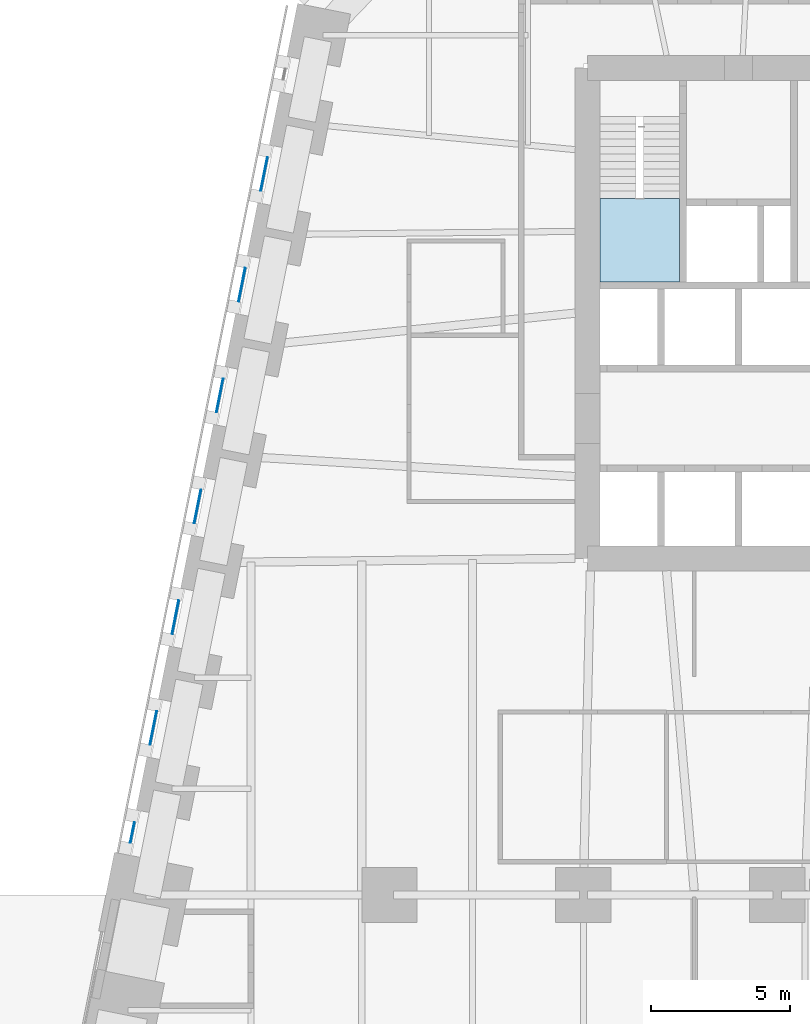
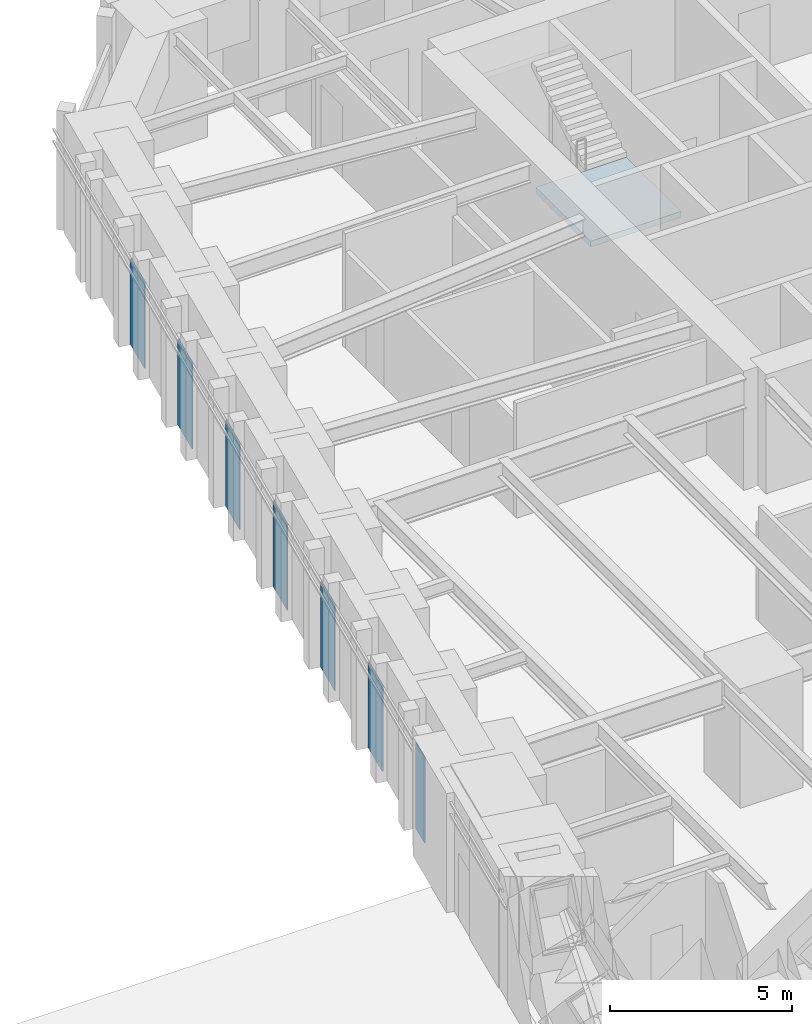
# One storey, part 7 of 18: 7 plates, 1 slab, 8 elements without a shape of their own.
"""IFC4 building model written with IfcOpenShell, lengths in metres."""

from ifc_helpers import new_model, si_unit, direction, frame, origin, origin_2d, place, context, subcontext, project, spatial, polyline, rectangle, outline, extrude, material, layer, layer_set, type_object, element, aggregate, save


model = new_model("IFC4")

# Units and contexts
model_context = context("Model", 3, precision=1e-05, world=origin(), true_north=direction((0.0, 1.0)))
body_context = subcontext(model_context, "Body", "Model", "MODEL_VIEW")
ifc_project = project(units=[si_unit("LENGTHUNIT", "METRE"), si_unit("AREAUNIT", "SQUARE_METRE"), si_unit("VOLUMEUNIT", "CUBIC_METRE"), si_unit("PLANEANGLEUNIT", "RADIAN"), si_unit("MASSUNIT", "GRAM", prefix="KILO")], contexts=[model_context])

# Site, building, storey
site_placement = place(None, origin())
site = spatial("IfcSite", under=ifc_project, at=site_placement, CompositionType="ELEMENT")
building_placement = place(site_placement, origin())
building = spatial("IfcBuilding", under=site, at=building_placement, Name="Isbrekke Arena Tower", CompositionType="ELEMENT")
storey_placement = place(building_placement, frame((0.0, 0.0, 28.0)))
storey = spatial("IfcBuildingStorey", under=building, at=storey_placement, Name="L04", CompositionType="ELEMENT", Elevation=28.0)

# Curtain wall, plate
ifc_material_1 = material(Name="Glazed aluminium curtain wall", Category="aluminium")
curtain_wall_type = type_object("IfcCurtainWallType", Name="CWL TOWER CURTAIN WALL LOW ZONE", PredefinedType="USERDEFINED", material=ifc_material_1)
curtain_wall_1_placement = place(storey_placement, origin())
curtain_wall_1 = element("IfcCurtainWall", 1, at=curtain_wall_1_placement, inside=storey, type_object=curtain_wall_type, Name="CWL curtain wall L04-W3", ObjectType="TOWER CURTAIN WALL LOW ZONE", PredefinedType="USERDEFINED")
ifc_material_2 = material(Name="Triple-glazed clear glass unit", Category="glass")
ifc_layer_1 = layer(ifc_material_2, 0.031982421875)
ifc_layer_set_1 = layer_set([ifc_layer_1], Name="CWL-P VISION PANEL")
plate_type = type_object("IfcPlateType", Name="CWL-P VISION PANEL", PredefinedType="CURTAIN_PANEL", material=ifc_layer_set_1)
plate_1_placement = place(storey_placement, frame((-25.5224609375, 20.0244140625, 0.02001953125), z_axis=(0.0, 0.0, 1.0), x_axis=(-0.196116135138, -0.980580675691, 0.0)))
plate_1 = element("IfcPlate", 2, at=plate_1_placement, type_object=plate_type, Name="CWL-P panel 1", PredefinedType="CURTAIN_PANEL", context=body_context, shape_type="SweptSolid", body=[
    extrude(rectangle(XDim=1.229248046875, YDim=0.031982421875, at=origin_2d()), origin(), (0.0, 0.0, 1.0), 2.8798828125),
])
aggregate(curtain_wall_1, [plate_1])

curtain_wall_2_placement = place(storey_placement, origin())
curtain_wall_2 = element("IfcCurtainWall", 3, at=curtain_wall_2_placement, inside=storey, type_object=curtain_wall_type, Name="CWL curtain wall L04-W5", ObjectType="TOWER CURTAIN WALL LOW ZONE", PredefinedType="USERDEFINED")
plate_2_placement = place(storey_placement, frame((-26.322509765625, 16.0244140625, 0.02001953125), z_axis=(0.0, 0.0, 1.0), x_axis=(-0.196116135138, -0.980580675691, 0.0)))
plate_2 = element("IfcPlate", 4, at=plate_2_placement, type_object=plate_type, Name="CWL-P panel 1", PredefinedType="CURTAIN_PANEL", context=body_context, shape_type="SweptSolid", body=[
    extrude(rectangle(XDim=1.229248046875, YDim=0.031982421875, at=origin_2d()), origin(), (0.0, 0.0, 1.0), 2.8798828125),
])
aggregate(curtain_wall_2, [plate_2])

curtain_wall_3_placement = place(storey_placement, origin())
curtain_wall_3 = element("IfcCurtainWall", 5, at=curtain_wall_3_placement, inside=storey, type_object=curtain_wall_type, Name="CWL curtain wall L04-W7", ObjectType="TOWER CURTAIN WALL LOW ZONE", PredefinedType="USERDEFINED")
plate_3_placement = place(storey_placement, frame((-27.12255859375, 12.0244140625, 0.02001953125), z_axis=(0.0, 0.0, 1.0), x_axis=(-0.196116135138, -0.980580675691, 0.0)))
plate_3 = element("IfcPlate", 6, at=plate_3_placement, type_object=plate_type, Name="CWL-P panel 1", PredefinedType="CURTAIN_PANEL", context=body_context, shape_type="SweptSolid", body=[
    extrude(rectangle(XDim=1.229248046875, YDim=0.031982421875, at=origin_2d()), origin(), (0.0, 0.0, 1.0), 2.8798828125),
])
aggregate(curtain_wall_3, [plate_3])

curtain_wall_4_placement = place(storey_placement, origin())
curtain_wall_4 = element("IfcCurtainWall", 7, at=curtain_wall_4_placement, inside=storey, type_object=curtain_wall_type, Name="CWL curtain wall L04-W9", ObjectType="TOWER CURTAIN WALL LOW ZONE", PredefinedType="USERDEFINED")
plate_4_placement = place(storey_placement, frame((-27.922607421875, 8.0244140625, 0.02001953125), z_axis=(0.0, 0.0, 1.0), x_axis=(-0.196116135138, -0.980580675691, 0.0)))
plate_4 = element("IfcPlate", 8, at=plate_4_placement, type_object=plate_type, Name="CWL-P panel 1", PredefinedType="CURTAIN_PANEL", context=body_context, shape_type="SweptSolid", body=[
    extrude(rectangle(XDim=1.229248046875, YDim=0.031982421875, at=origin_2d()), origin(), (0.0, 0.0, 1.0), 2.8798828125),
])
aggregate(curtain_wall_4, [plate_4])

curtain_wall_5_placement = place(storey_placement, origin())
curtain_wall_5 = element("IfcCurtainWall", 9, at=curtain_wall_5_placement, inside=storey, type_object=curtain_wall_type, Name="CWL curtain wall L04-W11", ObjectType="TOWER CURTAIN WALL LOW ZONE", PredefinedType="USERDEFINED")
plate_5_placement = place(storey_placement, frame((-28.72265625, 4.0244140625, 0.02001953125), z_axis=(0.0, 0.0, 1.0), x_axis=(-0.196116135138, -0.980580675691, 0.0)))
plate_5 = element("IfcPlate", 10, at=plate_5_placement, type_object=plate_type, Name="CWL-P panel 1", PredefinedType="CURTAIN_PANEL", context=body_context, shape_type="SweptSolid", body=[
    extrude(rectangle(XDim=1.229248046875, YDim=0.031982421875, at=origin_2d()), origin(), (0.0, 0.0, 1.0), 2.8798828125),
])
aggregate(curtain_wall_5, [plate_5])

curtain_wall_6_placement = place(storey_placement, origin())
curtain_wall_6 = element("IfcCurtainWall", 11, at=curtain_wall_6_placement, inside=storey, type_object=curtain_wall_type, Name="CWL curtain wall L04-W13", ObjectType="TOWER CURTAIN WALL LOW ZONE", PredefinedType="USERDEFINED")
plate_6_placement = place(storey_placement, frame((-29.5224609375, 0.0244140625, 0.02001953125), z_axis=(0.0, 0.0, 1.0), x_axis=(-0.196116135138, -0.980580675691, 0.0)))
plate_6 = element("IfcPlate", 12, at=plate_6_placement, type_object=plate_type, Name="CWL-P panel 1", PredefinedType="CURTAIN_PANEL", context=body_context, shape_type="SweptSolid", body=[
    extrude(rectangle(XDim=1.229248046875, YDim=0.031982421875, at=origin_2d()), origin(), (0.0, 0.0, 1.0), 2.8798828125),
])
aggregate(curtain_wall_6, [plate_6])

curtain_wall_7_placement = place(storey_placement, origin())
curtain_wall_7 = element("IfcCurtainWall", 13, at=curtain_wall_7_placement, inside=storey, type_object=curtain_wall_type, Name="CWL curtain wall L04-W15", ObjectType="TOWER CURTAIN WALL LOW ZONE", PredefinedType="USERDEFINED")
plate_7_placement = place(storey_placement, frame((-30.276123046875, -3.74365234375, 0.02001953125), z_axis=(0.0, 0.0, 1.0), x_axis=(-0.196116135138, -0.980580675691, 0.0)))
plate_7 = element("IfcPlate", 14, at=plate_7_placement, type_object=plate_type, Name="CWL-P panel 1", PredefinedType="CURTAIN_PANEL", context=body_context, shape_type="SweptSolid", body=[
    extrude(rectangle(XDim=0.756103515625, YDim=0.031982421875, at=origin_2d()), origin(), (0.0, 0.0, 1.0), 2.8798828125),
])
aggregate(curtain_wall_7, [plate_7])

# Stair, slab
ifc_material_3 = material(Name="Concrete B45 (C45/55) precast", Category="concrete")
stair_type = type_object("IfcStairType", Name="ST40 STAIR 1300 WIDE, 24 RISERS 167", PredefinedType="HALF_TURN_STAIR", material=ifc_material_3)
stair_placement = place(storey_placement, origin())
stair = element("IfcStair", 15, at=stair_placement, inside=storey, type_object=stair_type, Name="ST1 stair L04", PredefinedType="HALF_TURN_STAIR")
ifc_material_4 = material(Name="Concrete B35 (C35/45)", Category="concrete")
ifc_layer_2 = layer(ifc_material_4, 0.199951171875)
ifc_layer_set_2 = layer_set([ifc_layer_2], Name="SL1 STAIR LANDING 200")
slab_type = type_object("IfcSlabType", Name="SL1 STAIR LANDING 200", PredefinedType="LANDING", material=ifc_layer_set_2)
slab_placement = place(storey_placement, frame((0.0, 0.0, 1.800048828125)))
slab = element("IfcSlab", 16, at=slab_placement, type_object=slab_type, Name="ST1 landing 1", PredefinedType="LANDING", context=body_context, shape_type="SweptSolid", body=[
    extrude(outline(polyline([(-13.39990234375, 16.125), (-10.52490234375, 16.125), (-10.52490234375, 19.1298828125), (-13.39990234375, 19.1298828125), (-13.39990234375, 16.125)])), origin(), (0.0, 0.0, 1.0), 0.199951171875),
])
aggregate(stair, [slab])

save(model, "model.ifc")
